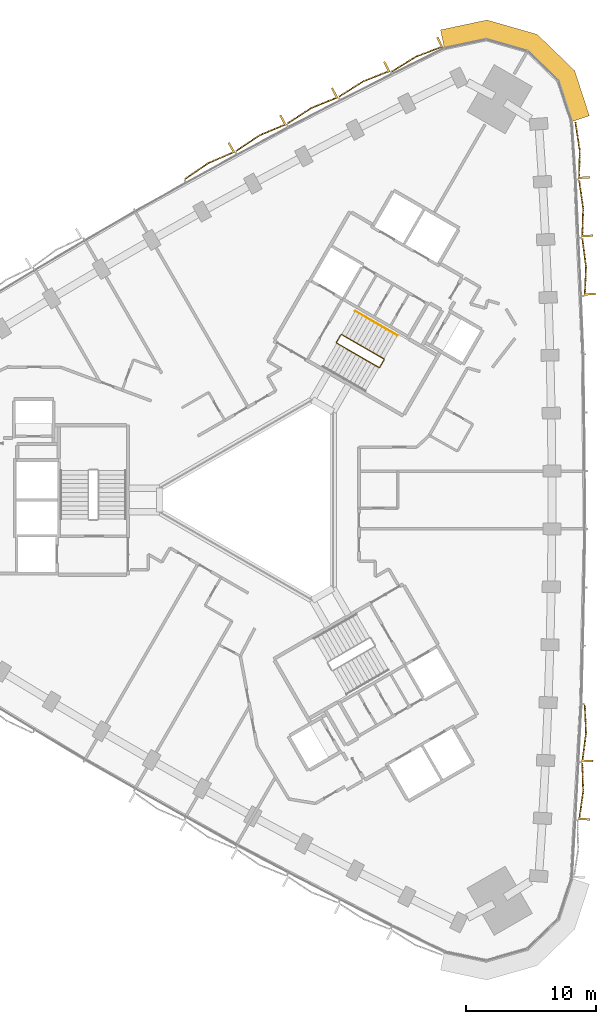
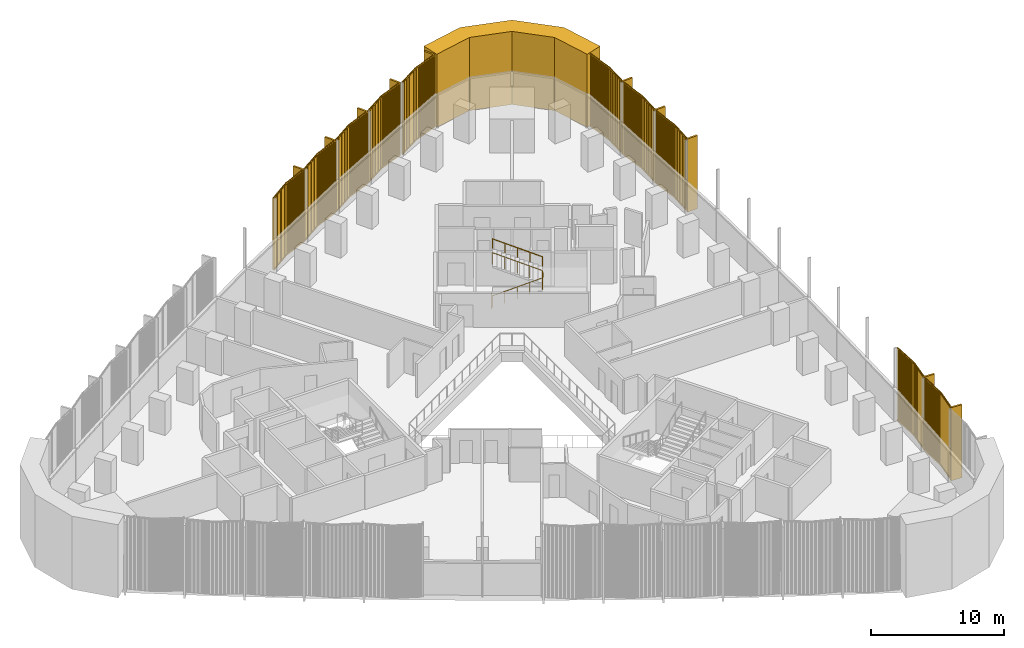
# One storey, part 16 of 16: 11 coverings, 2 railings.
"""IFC4 building model written with IfcOpenShell, lengths in metres."""

import ifcopenshell
import ifcopenshell.guid

model = None  # the IFC model being written
_history = None  # IfcOwnerHistory: only IFC2X3 demands one
_inside = {}  # id of a spatial element -> (the spatial element, [elements in it])
_under = {}  # id of a project, library or spatial element -> (it, [spatial elements below it])
_declared = {}  # id of a project -> (the project, [libraries it declares])
_typed = {}  # id of a type object -> (the type object, [elements of that type])
_made_of = {}  # id of a material, layer set ... -> (it, [elements and type objects made of it])


def new_model(schema):
    """Start an empty IFC model of exactly this schema.

    Asked for "IFC4X3", IfcOpenShell would pick the latest addendum, in which some entities
    have other attributes; the version numbers below select the first issue.
    IFC2X3 requires an IfcOwnerHistory on every rooted entity: one is made here for all.
    """
    global model, _history
    if schema == "IFC4X3":
        model = ifcopenshell.file(schema_version=(4, 3, 0, 0))
    else:
        model = ifcopenshell.file(schema=schema)
    _inside.clear()
    _under.clear()
    _declared.clear()
    _typed.clear()
    _made_of.clear()
    _history = None
    if model.schema == "IFC2X3":
        org = make("IfcOrganization", Name="unknown")
        user = make(
            "IfcPersonAndOrganization",
            ThePerson=make("IfcPerson", FamilyName="unknown"),
            TheOrganization=org,
        )
        app = make(
            "IfcApplication",
            ApplicationDeveloper=org,
            Version="unknown",
            ApplicationFullName="unknown",
            ApplicationIdentifier="unknown",
        )
        _history = make(
            "IfcOwnerHistory",
            OwningUser=user,
            OwningApplication=app,
            ChangeAction="ADDED",
            CreationDate=0,
        )
    return model


def make(cls, **values):
    """One entity of the class cls with the attributes given. An attribute that is None is left unset."""
    return model.create_entity(
        cls, **{name: value for name, value in values.items() if value is not None}
    )


def rooted(cls, **values):
    """An entity with a GlobalId (a new one), such as an element, a storey or a relation."""
    return make(cls, GlobalId=ifcopenshell.guid.new(), OwnerHistory=_history, **values)


def si_unit(unit_type, name, prefix=None):
    """IfcSIUnit, for example si_unit("LENGTHUNIT", "METRE", prefix="MILLI")."""
    return make("IfcSIUnit", UnitType=unit_type, Prefix=prefix, Name=name)


def assignment(units):
    """IfcUnitAssignment: the units of a project."""
    return None if units is None else make("IfcUnitAssignment", Units=units)


def point(xyz):
    """IfcCartesianPoint."""
    return None if xyz is None else make("IfcCartesianPoint", Coordinates=xyz)


def direction(xyz):
    """IfcDirection."""
    return None if xyz is None else make("IfcDirection", DirectionRatios=xyz)


def frame(location, z_axis=None, x_axis=None):
    """IfcAxis2Placement3D, a coordinate frame: its origin and axes. An axis left out is left unset."""
    return make(
        "IfcAxis2Placement3D",
        Location=point(location),
        Axis=direction(z_axis),
        RefDirection=direction(x_axis),
    )


def frame_2d(location, x_axis=None):
    """IfcAxis2Placement2D, a coordinate frame in the plane: its origin and x axis."""
    return make(
        "IfcAxis2Placement2D", Location=point(location), RefDirection=direction(x_axis)
    )


def origin():
    """The frame at (0, 0, 0) with its axes left unset."""
    return frame((0.0, 0.0, 0.0))


def origin_2d():
    """The frame at (0, 0) in the plane with its x axis left unset."""
    return frame_2d((0.0, 0.0))


def place(relative_to, where):
    """IfcLocalPlacement: puts the frame where relative to a parent placement (None: the world)."""
    return make(
        "IfcLocalPlacement", PlacementRelTo=relative_to, RelativePlacement=where
    )


def context(
    kind, dimensions, precision=None, world=None, true_north=None, identifier=None
):
    """IfcGeometricRepresentationContext, for example the 3D "Model" context."""
    return make(
        "IfcGeometricRepresentationContext",
        ContextIdentifier=identifier,
        ContextType=kind,
        CoordinateSpaceDimension=dimensions,
        Precision=precision,
        WorldCoordinateSystem=world,
        TrueNorth=true_north,
    )


def subcontext(parent, identifier, kind, view, scale=None):
    """IfcGeometricRepresentationSubContext, for example "Body" below "Model"."""
    return make(
        "IfcGeometricRepresentationSubContext",
        ContextIdentifier=identifier,
        ContextType=kind,
        ParentContext=parent,
        TargetScale=scale,
        TargetView=view,
    )


def project(units=None, contexts=None):
    """IfcProject with its units and contexts."""
    return rooted(
        "IfcProject",
        Name="project",
        RepresentationContexts=contexts,
        UnitsInContext=assignment(units),
    )


def spatial(cls, under=None, at=None, **own):
    """A site, building, storey or space (cls), placed at a placement, below another one or the project."""
    s = rooted(cls, ObjectPlacement=at, **own)
    if under is not None:
        _under.setdefault(under.id(), (under, []))[1].append(s)
    return s


def polyline(points):
    """IfcPolyline through the points."""
    return make("IfcPolyline", Points=[point(p) for p in points])


def profile(cls, at=None, kind="AREA", **sizes):
    """A parametric profile (cls). Its sizes go by their IFC names, for example OverallWidth=200.0."""
    return make(cls, ProfileType=kind, Position=at, **sizes)


def rectangle(**sizes):
    """IfcRectangleProfileDef."""
    return profile("IfcRectangleProfileDef", **sizes)


def circle(**sizes):
    """IfcCircleProfileDef."""
    return profile("IfcCircleProfileDef", **sizes)


def outline(outer, holes=None, kind="AREA"):
    """IfcArbitraryClosedProfileDef: a profile drawn as a closed curve; with holes, ...WithVoids."""
    if holes is None:
        return make("IfcArbitraryClosedProfileDef", ProfileType=kind, OuterCurve=outer)
    return make(
        "IfcArbitraryProfileDefWithVoids",
        ProfileType=kind,
        OuterCurve=outer,
        InnerCurves=holes,
    )


def extrude(swept, where, along, depth):
    """IfcExtrudedAreaSolid: the profile swept, set in the frame where, extruded along a direction by depth."""
    return make(
        "IfcExtrudedAreaSolid",
        SweptArea=swept,
        Position=where,
        ExtrudedDirection=direction(along),
        Depth=depth,
    )


def shape(context_of_items, identifier, shape_type, items):
    """IfcShapeRepresentation: the items that make up one representation, for example the "Body"."""
    return make(
        "IfcShapeRepresentation",
        ContextOfItems=context_of_items,
        RepresentationIdentifier=identifier,
        RepresentationType=shape_type,
        Items=items,
    )


def source(mapping_origin, context_of_items, identifier, shape_type, items):
    """IfcRepresentationMap: a shape defined once, which mapped items show again and again."""
    return make(
        "IfcRepresentationMap",
        MappingOrigin=mapping_origin,
        MappedRepresentation=shape(context_of_items, identifier, shape_type, items),
    )


def transform(
    local_origin,
    x_axis=None,
    y_axis=None,
    z_axis=None,
    scale=None,
    scale2=None,
    scale3=None,
    uniform=True,
):
    """IfcCartesianTransformationOperator3D, or its non-uniform kind. x_axis, y_axis, z_axis: its Axis1, 2, 3."""
    if uniform:
        return make(
            "IfcCartesianTransformationOperator3D",
            Axis1=direction(x_axis),
            Axis2=direction(y_axis),
            LocalOrigin=point(local_origin),
            Scale=scale,
            Axis3=direction(z_axis),
        )
    return make(
        "IfcCartesianTransformationOperator3DnonUniform",
        Axis1=direction(x_axis),
        Axis2=direction(y_axis),
        LocalOrigin=point(local_origin),
        Scale=scale,
        Axis3=direction(z_axis),
        Scale2=scale2,
        Scale3=scale3,
    )


def mapped(mapping_source, mapping_target):
    """IfcMappedItem: shows the shape of a source again, moved by a transform."""
    return make(
        "IfcMappedItem", MappingSource=mapping_source, MappingTarget=mapping_target
    )


def material(Name=None, Category=None):
    """IfcMaterial."""
    return make("IfcMaterial", Name=Name, Category=Category)


def layer(
    of_material, thickness, ventilated=None, Name=None, Category=None, Priority=None
):
    """IfcMaterialLayer: one layer of a wall or slab, of a material (None: an air gap)."""
    return make(
        "IfcMaterialLayer",
        Material=of_material,
        LayerThickness=thickness,
        IsVentilated=ventilated,
        Name=Name,
        Category=Category,
        Priority=Priority,
    )


def layer_set(layers, Name=None):
    """IfcMaterialLayerSet."""
    return make("IfcMaterialLayerSet", MaterialLayers=layers, LayerSetName=Name)


def made_of(thing, what):
    """Note that an element or type object is made of a material, layer set ...; save() writes the relation."""
    if what is not None:
        _made_of.setdefault(what.id(), (what, []))[1].append(thing)
    return thing


def type_object(cls, material=None, **own):
    """A type object (cls), such as IfcWallType, which elements share."""
    return made_of(rooted(cls, **own), material)


def element(
    cls,
    number,
    at=None,
    inside=None,
    cuts=None,
    type_object=None,
    material=None,
    context=None,
    identifier="Body",
    shape_type=None,
    held_by="IfcProductDefinitionShape",
    body=None,
    shapes=None,
    **own,
):
    """One element of the class cls, such as IfcWall. Its Tag is "e" and its number.

    at: its placement. inside: the storey or other place that contains it. cuts: it is an
    opening in that element (IfcRelVoidsElement). A single representation is given by context,
    identifier, shape_type and body (its items); several are given by shapes. held_by: the class
    of the entity that holds the representations. save() writes the other relations.
    """
    e = rooted(cls, Tag="e%d" % number, ObjectPlacement=at, **own)
    if body is not None:
        shapes = [shape(context, identifier, shape_type, body)]
    if shapes is not None:
        e.Representation = make(held_by, Representations=shapes)
    if inside is not None:
        _inside.setdefault(inside.id(), (inside, []))[1].append(e)
    if cuts is not None:
        rooted(
            "IfcRelVoidsElement", RelatingBuildingElement=cuts, RelatedOpeningElement=e
        )
    if type_object is not None:
        _typed.setdefault(type_object.id(), (type_object, []))[1].append(e)
    return made_of(e, material)


def aggregate(whole, parts):
    """IfcRelAggregates: a whole, such as a stair, and the parts it consists of."""
    return rooted("IfcRelAggregates", RelatingObject=whole, RelatedObjects=parts)


def save(model, path):
    """Write the relations noted so far, then the file.

    IfcRelAggregates (storeys below a building ...), IfcRelContainedInSpatialStructure (elements
    in a storey), IfcRelDefinesByType, IfcRelAssociatesMaterial and IfcRelDeclares: one each for
    every whole, place, type object, material and project.
    """
    for whole, parts in _under.values():
        aggregate(whole, parts)
    for where, things in _inside.values():
        rooted(
            "IfcRelContainedInSpatialStructure",
            RelatedElements=things,
            RelatingStructure=where,
        )
    for kind, things in _typed.values():
        rooted("IfcRelDefinesByType", RelatedObjects=things, RelatingType=kind)
    for what, things in _made_of.values():
        rooted("IfcRelAssociatesMaterial", RelatedObjects=things, RelatingMaterial=what)
    for by, libraries in _declared.values():
        rooted("IfcRelDeclares", RelatingContext=by, RelatedDefinitions=libraries)
    model.write(path)


model = new_model("IFC4")

# Units and contexts
model_context = context("Model", 3, precision=1e-05, world=origin(), true_north=direction((0.0, 1.0)))
body_context = subcontext(model_context, "Body", "Model", "MODEL_VIEW")
ifc_project = project(units=[si_unit("LENGTHUNIT", "METRE"), si_unit("AREAUNIT", "SQUARE_METRE"), si_unit("VOLUMEUNIT", "CUBIC_METRE"), si_unit("PLANEANGLEUNIT", "RADIAN"), si_unit("MASSUNIT", "GRAM", prefix="KILO")], contexts=[model_context])

# Site, building, storey
site_placement = place(None, origin())
site = spatial("IfcSite", under=ifc_project, at=site_placement, CompositionType="ELEMENT")
building_placement = place(site_placement, origin())
building = spatial("IfcBuilding", under=site, at=building_placement, Name="Tamra Quay Hotel Tower", CompositionType="ELEMENT")
storey_placement = place(building_placement, frame((0.0, 0.0, 45.800048828125)))
storey = spatial("IfcBuildingStorey", under=building, at=storey_placement, Name="L09", CompositionType="ELEMENT", Elevation=45.800048828125)

# Covering
ifc_material_1 = material(Name="Precast concrete M60 terracotta-coloured", Category="masonry")
ifc_layer = layer(ifc_material_1, 1.449951171875)
ifc_layer_set = layer_set([ifc_layer], Name="CORNER PIER PANEL")
covering_type_1 = type_object("IfcCoveringType", Name="CORNER PIER PANEL", PredefinedType="CLADDING", material=ifc_layer_set)
covering_placement = place(storey_placement, origin())
element("IfcCovering", 1, at=covering_placement, inside=storey, type_object=covering_type_1, Name="Corner pier L09.east", PredefinedType="CLADDING", context=body_context, shape_type="SweptSolid", body=[
    extrude(outline(polyline([(23.40869140625, 29.210693359375), (24.78759765625, 29.658935546875), (23.65380859375, 33.148193359375), (20.75439453125, 35.947998046875), (16.88037109375, 37.058837890625), (13.29150390625, 36.296142578125), (13.593017578125, 34.877685546875), (16.828125, 35.5654296875), (20.00732421875, 34.65380859375), (22.386474609375, 32.356201171875), (23.40869140625, 29.210693359375)])), origin(), (0.0, 0.0, 1.0), 6.724853515625),
])

# Railings
ifc_material_2 = material(Name="Stair guard 1100")
railing_type_1 = type_object("IfcRailingType", Name="Stair guard 1100", PredefinedType="GUARDRAIL", material=ifc_material_2)
railing_1_placement = place(storey_placement, frame((5.595458984375, 12.751953125, 0.0)))
element("IfcRailing", 2, at=railing_1_placement, inside=storey, type_object=railing_type_1, Name="GR", PredefinedType="GUARDRAIL", context=body_context, shape_type="SweptSolid", body=[
    extrude(circle(Radius=0.02392578125, at=origin_2d()), frame((0.0, 0.0, 1.076171875), z_axis=(-0.499765215335, -0.866160914346, 0.0), x_axis=(0.866160914346, -0.499765215335, 0.0)), (0.0, 0.0, 1.0), 0.658935546875),
    extrude(circle(Radius=0.02392578125, at=origin_2d()), frame((-0.329345703125, -0.57080078125, 1.076171875), z_axis=(0.110525977783, -0.411156637351, 0.904839338113), x_axis=(0.965715946433, 0.259601060869, 0.0)), (0.0, 0.0, 1.0), 0.165771484375),
    extrude(circle(Radius=0.02392578125, at=origin_2d()), frame((-0.31103515625, -0.638916015625, 1.22607421875), z_axis=(0.79305953016, -0.457922937641, 0.401700342053), x_axis=(0.500040788363, 0.866001853331, 0.0)), (0.0, 0.0, 1.0), 4.10791015625),
    extrude(circle(Radius=0.02392578125, at=origin_2d()), frame((2.94677734375, -2.52001953125, 2.8759765625), z_axis=(0.965948051503, 0.258736085224, 0.0), x_axis=(-0.258736085224, 0.965948051503, 0.0)), (0.0, 0.0, 1.0), 0.07080078125),
    extrude(circle(Radius=0.02392578125, at=origin_2d()), frame((3.01513671875, -2.501708984375, 2.8759765625), z_axis=(0.500043078269, 0.866000531106, 0.0), x_axis=(-0.866000531106, 0.500043078269, 0.0)), (0.0, 0.0, 1.0), 0.6591796875),
    extrude(circle(Radius=0.02392578125, at=origin_2d()), frame((3.3447265625, -1.930908203125, 2.8759765625), z_axis=(-0.110525977783, 0.411156637351, 0.904839338113), x_axis=(-0.965715946433, -0.259601060869, 0.0)), (0.0, 0.0, 1.0), 0.165771484375),
    extrude(circle(Radius=0.02392578125, at=origin_2d()), frame((3.326416015625, -1.86279296875, 3.02587890625), z_axis=(-0.793100512587, 0.457912285461, 0.401631567183), x_axis=(-0.500012686397, -0.866018079166, 0.0)), (0.0, 0.0, 1.0), 4.10791015625),
    extrude(circle(Radius=0.02099609375, at=origin_2d()), origin(), (0.0, 0.0, 1.0), 1.052001953125),
    extrude(circle(Radius=0.02099609375, at=origin_2d()), frame((-0.329345703125, -0.57080078125, 0.0)), (0.0, 0.0, 1.0), 1.052001953125),
    extrude(circle(Radius=0.02099609375, at=origin_2d()), frame((-0.31103515625, -0.638916015625, 0.14990234375)), (0.0, 0.0, 1.0), 1.052001953125),
    extrude(circle(Radius=0.02099609375, at=origin_2d()), frame((0.50341796875, -1.109130859375, 0.5625)), (0.0, 0.0, 1.0), 1.052001953125),
    extrude(circle(Radius=0.02099609375, at=origin_2d()), frame((1.31787109375, -1.57958984375, 0.97509765625)), (0.0, 0.0, 1.0), 1.052001953125),
    extrude(circle(Radius=0.02099609375, at=origin_2d()), frame((2.13232421875, -2.0498046875, 1.387451171875)), (0.0, 0.0, 1.0), 1.052001953125),
    extrude(circle(Radius=0.02099609375, at=origin_2d()), frame((2.94677734375, -2.52001953125, 1.800048828125)), (0.0, 0.0, 1.0), 1.052001953125),
    extrude(circle(Radius=0.02099609375, at=origin_2d()), frame((3.01513671875, -2.501708984375, 1.800048828125)), (0.0, 0.0, 1.0), 1.052001953125),
    extrude(circle(Radius=0.02099609375, at=origin_2d()), frame((3.3447265625, -1.930908203125, 1.800048828125)), (0.0, 0.0, 1.0), 1.052001953125),
    extrude(circle(Radius=0.02099609375, at=origin_2d()), frame((3.326416015625, -1.86279296875, 1.949951171875)), (0.0, 0.0, 1.0), 1.052001953125),
    extrude(circle(Radius=0.02099609375, at=origin_2d()), frame((2.511962890625, -1.392578125, 2.3623046875)), (0.0, 0.0, 1.0), 1.052001953125),
    extrude(circle(Radius=0.02099609375, at=origin_2d()), frame((1.697265625, -0.92236328125, 2.77490234375)), (0.0, 0.0, 1.0), 1.052001953125),
    extrude(circle(Radius=0.02099609375, at=origin_2d()), frame((0.8828125, -0.451904296875, 3.1875)), (0.0, 0.0, 1.0), 1.052001953125),
    extrude(circle(Radius=0.02099609375, at=origin_2d()), frame((0.068359375, 0.018310546875, 3.599853515625)), (0.0, 0.0, 1.0), 1.052001953125),
])
ifc_material_3 = material(Name="Stair handrail 900")
railing_type_2 = type_object("IfcRailingType", Name="Stair handrail 900", PredefinedType="HANDRAIL", material=ifc_material_3)
railing_2_placement = place(storey_placement, frame((9.971923828125, 12.7080078125, 1.949951171875)))
element("IfcRailing", 3, at=railing_2_placement, inside=storey, type_object=railing_type_2, Name="HR", PredefinedType="HANDRAIL", context=body_context, shape_type="SweptSolid", body=[
    extrude(circle(Radius=0.02392578125, at=origin_2d()), frame((0.0, 0.0, 0.8759765625), z_axis=(-0.793122095483, 0.45786531462, 0.401642496911), x_axis=(-0.499964013922, -0.86604617936, 0.0)), (0.0, 0.0, 1.0), 4.10791015625),
    extrude(circle(Radius=0.02099609375, at=origin_2d()), origin(), (0.0, 0.0, 1.0), 0.851806640625),
    extrude(circle(Radius=0.02099609375, at=origin_2d()), frame((-0.814453125, 0.47021484375, 0.41259765625)), (0.0, 0.0, 1.0), 0.851806640625),
    extrude(circle(Radius=0.02099609375, at=origin_2d()), frame((-1.62890625, 0.9404296875, 0.824951171875)), (0.0, 0.0, 1.0), 0.851806640625),
    extrude(circle(Radius=0.02099609375, at=origin_2d()), frame((-2.443603515625, 1.41064453125, 1.2373046875)), (0.0, 0.0, 1.0), 0.851806640625),
    extrude(circle(Radius=0.02099609375, at=origin_2d()), frame((-3.258056640625, 1.880859375, 1.64990234375)), (0.0, 0.0, 1.0), 0.851806640625),
])

# Coverings
ifc_material_4 = material(Name="Terracotta baguette extruded", Category="masonry")
covering_type_2 = type_object("IfcCoveringType", Name="BAGUETTE SCREEN E-V H6725", PredefinedType="USERDEFINED", material=ifc_material_4)
shared_shape_1 = source(origin(), body_context, "Body", "SweptSolid", [
    extrude(rectangle(XDim=2.2109375, YDim=0.06005859375, at=frame_2d((1.10546875, 0.030029296875))), frame((-2.207763671875, -0.057861328125, -0.1201171875), z_axis=(0.0, 0.0, 1.0), x_axis=(0.996194698092, -0.087155742748, 0.0)), (0.0, 0.0, 1.0), 0.1201171875),
    extrude(rectangle(XDim=2.2109375, YDim=0.06005859375, at=frame_2d((1.10546875, 0.030029296875))), frame((-2.207763671875, -0.057861328125, -6.72509765625), z_axis=(0.0, 0.0, 1.0), x_axis=(0.996194698092, -0.087155742748, 0.0)), (0.0, 0.0, 1.0), 0.1201171875),
    extrude(rectangle(XDim=0.070068359375, YDim=0.10009765625, at=frame_2d((0.03515625, 0.050048828125))), frame((-2.1875, -0.13232421875, -6.6650390625)), (0.0, 0.0, 1.0), 6.60498046875),
    extrude(rectangle(XDim=0.070068359375, YDim=0.10009765625, at=frame_2d((0.03515625, 0.050048828125))), frame((-2.08740234375, -0.14111328125, -6.6650390625)), (0.0, 0.0, 1.0), 6.60498046875),
    extrude(rectangle(XDim=0.070068359375, YDim=0.10009765625, at=frame_2d((0.03515625, 0.050048828125))), frame((-1.9873046875, -0.14990234375, -6.6650390625)), (0.0, 0.0, 1.0), 6.60498046875),
    extrude(rectangle(XDim=0.070068359375, YDim=0.10009765625, at=frame_2d((0.03515625, 0.050048828125))), frame((-1.88720703125, -0.15869140625, -6.6650390625)), (0.0, 0.0, 1.0), 6.60498046875),
    extrude(rectangle(XDim=0.070068359375, YDim=0.10009765625, at=frame_2d((0.03515625, 0.050048828125))), frame((-1.787109375, -0.16748046875, -6.6650390625)), (0.0, 0.0, 1.0), 6.60498046875),
    extrude(rectangle(XDim=0.070068359375, YDim=0.10009765625, at=frame_2d((0.03515625, 0.050048828125))), frame((-1.686767578125, -0.17626953125, -6.6650390625)), (0.0, 0.0, 1.0), 6.60498046875),
    extrude(rectangle(XDim=0.070068359375, YDim=0.10009765625, at=frame_2d((0.03515625, 0.050048828125))), frame((-1.586669921875, -0.184814453125, -6.6650390625)), (0.0, 0.0, 1.0), 6.60498046875),
    extrude(rectangle(XDim=0.070068359375, YDim=0.10009765625, at=frame_2d((0.03515625, 0.050048828125))), frame((-1.486572265625, -0.193603515625, -6.6650390625)), (0.0, 0.0, 1.0), 6.60498046875),
    extrude(rectangle(XDim=0.070068359375, YDim=0.10009765625, at=frame_2d((0.03515625, 0.050048828125))), frame((-1.386474609375, -0.202392578125, -6.6650390625)), (0.0, 0.0, 1.0), 6.60498046875),
    extrude(rectangle(XDim=0.070068359375, YDim=0.10009765625, at=frame_2d((0.03515625, 0.050048828125))), frame((-1.286376953125, -0.211181640625, -6.6650390625)), (0.0, 0.0, 1.0), 6.60498046875),
    extrude(rectangle(XDim=0.070068359375, YDim=0.10009765625, at=frame_2d((0.03515625, 0.050048828125))), frame((-1.186279296875, -0.219970703125, -6.6650390625)), (0.0, 0.0, 1.0), 6.60498046875),
    extrude(rectangle(XDim=0.070068359375, YDim=0.10009765625, at=frame_2d((0.03515625, 0.050048828125))), frame((-1.086181640625, -0.228759765625, -6.6650390625)), (0.0, 0.0, 1.0), 6.60498046875),
    extrude(rectangle(XDim=0.070068359375, YDim=0.10009765625, at=frame_2d((0.03515625, 0.050048828125))), frame((-0.986083984375, -0.237548828125, -6.6650390625)), (0.0, 0.0, 1.0), 6.60498046875),
    extrude(rectangle(XDim=0.070068359375, YDim=0.10009765625, at=frame_2d((0.03515625, 0.050048828125))), frame((-0.885986328125, -0.246337890625, -6.6650390625)), (0.0, 0.0, 1.0), 6.60498046875),
    extrude(rectangle(XDim=0.070068359375, YDim=0.10009765625, at=frame_2d((0.03515625, 0.050048828125))), frame((-0.785888671875, -0.2548828125, -6.6650390625)), (0.0, 0.0, 1.0), 6.60498046875),
    extrude(rectangle(XDim=0.070068359375, YDim=0.10009765625, at=frame_2d((0.03515625, 0.050048828125))), frame((-0.685791015625, -0.263671875, -6.6650390625)), (0.0, 0.0, 1.0), 6.60498046875),
    extrude(rectangle(XDim=0.070068359375, YDim=0.10009765625, at=frame_2d((0.03515625, 0.050048828125))), frame((-0.585693359375, -0.2724609375, -6.6650390625)), (0.0, 0.0, 1.0), 6.60498046875),
    extrude(rectangle(XDim=0.070068359375, YDim=0.10009765625, at=frame_2d((0.03515625, 0.050048828125))), frame((-0.485595703125, -0.28125, -6.6650390625)), (0.0, 0.0, 1.0), 6.60498046875),
    extrude(rectangle(XDim=0.070068359375, YDim=0.10009765625, at=frame_2d((0.03515625, 0.050048828125))), frame((-0.385498046875, -0.2900390625, -6.6650390625)), (0.0, 0.0, 1.0), 6.60498046875),
    extrude(rectangle(XDim=0.070068359375, YDim=0.10009765625, at=frame_2d((0.03515625, 0.050048828125))), frame((-0.285400390625, -0.298828125, -6.6650390625)), (0.0, 0.0, 1.0), 6.60498046875),
    extrude(rectangle(XDim=0.070068359375, YDim=0.10009765625, at=frame_2d((0.03515625, 0.050048828125))), frame((-0.18505859375, -0.3076171875, -6.6650390625)), (0.0, 0.0, 1.0), 6.60498046875),
    extrude(rectangle(XDim=0.070068359375, YDim=0.10009765625, at=frame_2d((0.03515625, 0.050048828125))), frame((-0.0849609375, -0.31640625, -6.6650390625)), (0.0, 0.0, 1.0), 6.60498046875),
    extrude(rectangle(XDim=2.2109375, YDim=0.06005859375, at=frame_2d((1.10546875, 0.030029296875))), frame((0.005126953125, -0.25048828125, -0.1201171875), z_axis=(0.0, 0.0, 1.0), x_axis=(0.996194698092, 0.087155742748, 0.0)), (0.0, 0.0, 1.0), 0.1201171875),
    extrude(rectangle(XDim=2.2109375, YDim=0.06005859375, at=frame_2d((1.10546875, 0.030029296875))), frame((0.005126953125, -0.25048828125, -6.72509765625), z_axis=(0.0, 0.0, 1.0), x_axis=(0.996194698092, 0.087155742748, 0.0)), (0.0, 0.0, 1.0), 0.1201171875),
    extrude(rectangle(XDim=0.070068359375, YDim=0.10009765625, at=frame_2d((0.03515625, 0.050048828125))), frame((0.01513671875, -0.31640625, -6.6650390625)), (0.0, 0.0, 1.0), 6.60498046875),
    extrude(rectangle(XDim=0.070068359375, YDim=0.10009765625, at=frame_2d((0.03515625, 0.050048828125))), frame((0.115234375, -0.3076171875, -6.6650390625)), (0.0, 0.0, 1.0), 6.60498046875),
    extrude(rectangle(XDim=0.070068359375, YDim=0.10009765625, at=frame_2d((0.03515625, 0.050048828125))), frame((0.21533203125, -0.298828125, -6.6650390625)), (0.0, 0.0, 1.0), 6.60498046875),
    extrude(rectangle(XDim=0.070068359375, YDim=0.10009765625, at=frame_2d((0.03515625, 0.050048828125))), frame((0.3154296875, -0.2900390625, -6.6650390625)), (0.0, 0.0, 1.0), 6.60498046875),
    extrude(rectangle(XDim=0.070068359375, YDim=0.10009765625, at=frame_2d((0.03515625, 0.050048828125))), frame((0.41552734375, -0.28125, -6.6650390625)), (0.0, 0.0, 1.0), 6.60498046875),
    extrude(rectangle(XDim=0.070068359375, YDim=0.10009765625, at=frame_2d((0.03515625, 0.050048828125))), frame((0.515625, -0.2724609375, -6.6650390625)), (0.0, 0.0, 1.0), 6.60498046875),
    extrude(rectangle(XDim=0.070068359375, YDim=0.10009765625, at=frame_2d((0.03515625, 0.050048828125))), frame((0.61572265625, -0.263671875, -6.6650390625)), (0.0, 0.0, 1.0), 6.60498046875),
    extrude(rectangle(XDim=0.070068359375, YDim=0.10009765625, at=frame_2d((0.03515625, 0.050048828125))), frame((0.7158203125, -0.2548828125, -6.6650390625)), (0.0, 0.0, 1.0), 6.60498046875),
    extrude(rectangle(XDim=0.070068359375, YDim=0.10009765625, at=frame_2d((0.03515625, 0.050048828125))), frame((0.81591796875, -0.246337890625, -6.6650390625)), (0.0, 0.0, 1.0), 6.60498046875),
    extrude(rectangle(XDim=0.070068359375, YDim=0.10009765625, at=frame_2d((0.03515625, 0.050048828125))), frame((0.916015625, -0.237548828125, -6.6650390625)), (0.0, 0.0, 1.0), 6.60498046875),
    extrude(rectangle(XDim=0.070068359375, YDim=0.10009765625, at=frame_2d((0.03515625, 0.050048828125))), frame((1.01611328125, -0.228759765625, -6.6650390625)), (0.0, 0.0, 1.0), 6.60498046875),
    extrude(rectangle(XDim=0.070068359375, YDim=0.10009765625, at=frame_2d((0.03515625, 0.050048828125))), frame((1.1162109375, -0.219970703125, -6.6650390625)), (0.0, 0.0, 1.0), 6.60498046875),
    extrude(rectangle(XDim=0.070068359375, YDim=0.10009765625, at=frame_2d((0.03515625, 0.050048828125))), frame((1.21630859375, -0.211181640625, -6.6650390625)), (0.0, 0.0, 1.0), 6.60498046875),
    extrude(rectangle(XDim=0.070068359375, YDim=0.10009765625, at=frame_2d((0.03515625, 0.050048828125))), frame((1.316650390625, -0.202392578125, -6.6650390625)), (0.0, 0.0, 1.0), 6.60498046875),
    extrude(rectangle(XDim=0.070068359375, YDim=0.10009765625, at=frame_2d((0.03515625, 0.050048828125))), frame((1.416748046875, -0.193603515625, -6.6650390625)), (0.0, 0.0, 1.0), 6.60498046875),
    extrude(rectangle(XDim=0.070068359375, YDim=0.10009765625, at=frame_2d((0.03515625, 0.050048828125))), frame((1.516845703125, -0.184814453125, -6.6650390625)), (0.0, 0.0, 1.0), 6.60498046875),
    extrude(rectangle(XDim=0.070068359375, YDim=0.10009765625, at=frame_2d((0.03515625, 0.050048828125))), frame((1.616943359375, -0.17626953125, -6.6650390625)), (0.0, 0.0, 1.0), 6.60498046875),
    extrude(rectangle(XDim=0.070068359375, YDim=0.10009765625, at=frame_2d((0.03515625, 0.050048828125))), frame((1.717041015625, -0.16748046875, -6.6650390625)), (0.0, 0.0, 1.0), 6.60498046875),
    extrude(rectangle(XDim=0.070068359375, YDim=0.10009765625, at=frame_2d((0.03515625, 0.050048828125))), frame((1.817138671875, -0.15869140625, -6.6650390625)), (0.0, 0.0, 1.0), 6.60498046875),
    extrude(rectangle(XDim=0.070068359375, YDim=0.10009765625, at=frame_2d((0.03515625, 0.050048828125))), frame((1.917236328125, -0.14990234375, -6.6650390625)), (0.0, 0.0, 1.0), 6.60498046875),
    extrude(rectangle(XDim=0.070068359375, YDim=0.10009765625, at=frame_2d((0.03515625, 0.050048828125))), frame((2.017333984375, -0.14111328125, -6.6650390625)), (0.0, 0.0, 1.0), 6.60498046875),
    extrude(rectangle(XDim=0.070068359375, YDim=0.10009765625, at=frame_2d((0.03515625, 0.050048828125))), frame((2.117431640625, -0.13232421875, -6.6650390625)), (0.0, 0.0, 1.0), 6.60498046875),
    extrude(rectangle(XDim=0.14990234375, YDim=0.902099609375, at=frame_2d((0.074951171875, 0.451171875))), frame((-2.202392578125, -0.89990234375, -6.72509765625)), (0.0, 0.0, 1.0), 6.72509765625),
])
for number, where, z_axis, x_axis, name in (
    (4, (24.059326171875, -22.490478515625, 6.724853515625), (0.0, 0.0, 1.0), (0.054062119595, 0.998537574268, 0.0), "Baguette screen L09.E.f01"),
    (5, (24.2783203125, -17.995361328125, 6.724853515625), (0.0, 0.0, 1.0), (0.043285462035, 0.999062745165, 0.0), "Baguette screen L09.E.f02"),
    (6, (24.2783203125, 17.995361328125, 6.724853515625), (0.0, 0.0, 1.0), (-0.043285462035, 0.999062745165, 0.0), "Baguette screen L09.E.f10"),
    (7, (24.059326171875, 22.490478515625, 6.724853515625), (0.0, 0.0, 1.0), (-0.054062119595, 0.998537574268, 0.0), "Baguette screen L09.E.f11"),
    (8, (23.791748046875, 26.982666015625, 6.724853515625), (0.0, 0.0, 1.0), (-0.064813097616, 0.997897420769, 0.0), "Baguette screen L09.E.f12"),
):
    element("IfcCovering", number, at=place(storey_placement, frame(where, z_axis=z_axis, x_axis=x_axis)), inside=storey, type_object=covering_type_2, Name=name, ObjectType="BAGUETTE SCREEN", PredefinedType="USERDEFINED", context=body_context, shape_type="MappedRepresentation", body=[
        mapped(shared_shape_1, transform((0.0, 0.0, 0.0), scale=1.0)),
    ])
covering_type_3 = type_object("IfcCoveringType", Name="BAGUETTE SCREEN NW-V H6725", PredefinedType="USERDEFINED", material=ifc_material_4)
shared_shape_2 = source(origin(), body_context, "Body", "SweptSolid", [
    extrude(rectangle(XDim=2.212646484375, YDim=0.06005859375, at=frame_2d((1.1064453125, 0.030029296875))), frame((-2.208251953125, -0.0576171875, -0.1201171875), z_axis=(0.0, 0.0, 1.0), x_axis=(0.995396198367, -0.09584575252, 0.0)), (0.0, 0.0, 1.0), 0.1201171875),
    extrude(rectangle(XDim=2.212646484375, YDim=0.06005859375, at=frame_2d((1.1064453125, 0.030029296875))), frame((-2.208251953125, -0.0576171875, -6.72509765625), z_axis=(0.0, 0.0, 1.0), x_axis=(0.995396198367, -0.09584575252, 0.0)), (0.0, 0.0, 1.0), 0.1201171875),
    extrude(rectangle(XDim=0.070068359375, YDim=0.10009765625, at=frame_2d((0.03515625, 0.050048828125))), frame((-2.1875, -0.1328125, -6.6650390625)), (0.0, 0.0, 1.0), 6.60498046875),
    extrude(rectangle(XDim=0.070068359375, YDim=0.10009765625, at=frame_2d((0.03515625, 0.050048828125))), frame((-2.08740234375, -0.142578125, -6.6650390625)), (0.0, 0.0, 1.0), 6.60498046875),
    extrude(rectangle(XDim=0.070068359375, YDim=0.10009765625, at=frame_2d((0.03515625, 0.050048828125))), frame((-1.9873046875, -0.152099609375, -6.6650390625)), (0.0, 0.0, 1.0), 6.60498046875),
    extrude(rectangle(XDim=0.070068359375, YDim=0.10009765625, at=frame_2d((0.03515625, 0.050048828125))), frame((-1.88720703125, -0.16162109375, -6.6650390625)), (0.0, 0.0, 1.0), 6.60498046875),
    extrude(rectangle(XDim=0.070068359375, YDim=0.10009765625, at=frame_2d((0.03515625, 0.050048828125))), frame((-1.787109375, -0.17138671875, -6.6650390625)), (0.0, 0.0, 1.0), 6.60498046875),
    extrude(rectangle(XDim=0.070068359375, YDim=0.10009765625, at=frame_2d((0.03515625, 0.050048828125))), frame((-1.686767578125, -0.180908203125, -6.6650390625)), (0.0, 0.0, 1.0), 6.60498046875),
    extrude(rectangle(XDim=0.070068359375, YDim=0.10009765625, at=frame_2d((0.03515625, 0.050048828125))), frame((-1.586669921875, -0.190673828125, -6.6650390625)), (0.0, 0.0, 1.0), 6.60498046875),
    extrude(rectangle(XDim=0.070068359375, YDim=0.10009765625, at=frame_2d((0.03515625, 0.050048828125))), frame((-1.486572265625, -0.2001953125, -6.6650390625)), (0.0, 0.0, 1.0), 6.60498046875),
    extrude(rectangle(XDim=0.070068359375, YDim=0.10009765625, at=frame_2d((0.03515625, 0.050048828125))), frame((-1.386474609375, -0.2099609375, -6.6650390625)), (0.0, 0.0, 1.0), 6.60498046875),
    extrude(rectangle(XDim=0.070068359375, YDim=0.10009765625, at=frame_2d((0.03515625, 0.050048828125))), frame((-1.286376953125, -0.219482421875, -6.6650390625)), (0.0, 0.0, 1.0), 6.60498046875),
    extrude(rectangle(XDim=0.070068359375, YDim=0.10009765625, at=frame_2d((0.03515625, 0.050048828125))), frame((-1.186279296875, -0.229248046875, -6.6650390625)), (0.0, 0.0, 1.0), 6.60498046875),
    extrude(rectangle(XDim=0.070068359375, YDim=0.10009765625, at=frame_2d((0.03515625, 0.050048828125))), frame((-1.086181640625, -0.23876953125, -6.6650390625)), (0.0, 0.0, 1.0), 6.60498046875),
    extrude(rectangle(XDim=0.070068359375, YDim=0.10009765625, at=frame_2d((0.03515625, 0.050048828125))), frame((-0.986083984375, -0.24853515625, -6.6650390625)), (0.0, 0.0, 1.0), 6.60498046875),
    extrude(rectangle(XDim=0.070068359375, YDim=0.10009765625, at=frame_2d((0.03515625, 0.050048828125))), frame((-0.885986328125, -0.258056640625, -6.6650390625)), (0.0, 0.0, 1.0), 6.60498046875),
    extrude(rectangle(XDim=0.070068359375, YDim=0.10009765625, at=frame_2d((0.03515625, 0.050048828125))), frame((-0.785888671875, -0.267822265625, -6.6650390625)), (0.0, 0.0, 1.0), 6.60498046875),
    extrude(rectangle(XDim=0.070068359375, YDim=0.10009765625, at=frame_2d((0.03515625, 0.050048828125))), frame((-0.685791015625, -0.27734375, -6.6650390625)), (0.0, 0.0, 1.0), 6.60498046875),
    extrude(rectangle(XDim=0.070068359375, YDim=0.10009765625, at=frame_2d((0.03515625, 0.050048828125))), frame((-0.585693359375, -0.287109375, -6.6650390625)), (0.0, 0.0, 1.0), 6.60498046875),
    extrude(rectangle(XDim=0.070068359375, YDim=0.10009765625, at=frame_2d((0.03515625, 0.050048828125))), frame((-0.485595703125, -0.296630859375, -6.6650390625)), (0.0, 0.0, 1.0), 6.60498046875),
    extrude(rectangle(XDim=0.070068359375, YDim=0.10009765625, at=frame_2d((0.03515625, 0.050048828125))), frame((-0.385498046875, -0.306396484375, -6.6650390625)), (0.0, 0.0, 1.0), 6.60498046875),
    extrude(rectangle(XDim=0.070068359375, YDim=0.10009765625, at=frame_2d((0.03515625, 0.050048828125))), frame((-0.285400390625, -0.31591796875, -6.6650390625)), (0.0, 0.0, 1.0), 6.60498046875),
    extrude(rectangle(XDim=0.070068359375, YDim=0.10009765625, at=frame_2d((0.03515625, 0.050048828125))), frame((-0.18505859375, -0.32568359375, -6.6650390625)), (0.0, 0.0, 1.0), 6.60498046875),
    extrude(rectangle(XDim=0.070068359375, YDim=0.10009765625, at=frame_2d((0.03515625, 0.050048828125))), frame((-0.0849609375, -0.335205078125, -6.6650390625)), (0.0, 0.0, 1.0), 6.60498046875),
    extrude(rectangle(XDim=2.212646484375, YDim=0.06005859375, at=frame_2d((1.1064453125, 0.030029296875))), frame((0.005859375, -0.269775390625, -0.1201171875), z_axis=(0.0, 0.0, 1.0), x_axis=(0.995396198367, 0.09584575252, 0.0)), (0.0, 0.0, 1.0), 0.1201171875),
    extrude(rectangle(XDim=2.212646484375, YDim=0.06005859375, at=frame_2d((1.1064453125, 0.030029296875))), frame((0.005859375, -0.269775390625, -6.72509765625), z_axis=(0.0, 0.0, 1.0), x_axis=(0.995396198367, 0.09584575252, 0.0)), (0.0, 0.0, 1.0), 0.1201171875),
    extrude(rectangle(XDim=0.070068359375, YDim=0.10009765625, at=frame_2d((0.03515625, 0.050048828125))), frame((0.01513671875, -0.335205078125, -6.6650390625)), (0.0, 0.0, 1.0), 6.60498046875),
    extrude(rectangle(XDim=0.070068359375, YDim=0.10009765625, at=frame_2d((0.03515625, 0.050048828125))), frame((0.115234375, -0.32568359375, -6.6650390625)), (0.0, 0.0, 1.0), 6.60498046875),
    extrude(rectangle(XDim=0.070068359375, YDim=0.10009765625, at=frame_2d((0.03515625, 0.050048828125))), frame((0.21533203125, -0.31591796875, -6.6650390625)), (0.0, 0.0, 1.0), 6.60498046875),
    extrude(rectangle(XDim=0.070068359375, YDim=0.10009765625, at=frame_2d((0.03515625, 0.050048828125))), frame((0.3154296875, -0.306396484375, -6.6650390625)), (0.0, 0.0, 1.0), 6.60498046875),
    extrude(rectangle(XDim=0.070068359375, YDim=0.10009765625, at=frame_2d((0.03515625, 0.050048828125))), frame((0.41552734375, -0.296630859375, -6.6650390625)), (0.0, 0.0, 1.0), 6.60498046875),
    extrude(rectangle(XDim=0.070068359375, YDim=0.10009765625, at=frame_2d((0.03515625, 0.050048828125))), frame((0.515625, -0.287109375, -6.6650390625)), (0.0, 0.0, 1.0), 6.60498046875),
    extrude(rectangle(XDim=0.070068359375, YDim=0.10009765625, at=frame_2d((0.03515625, 0.050048828125))), frame((0.61572265625, -0.27734375, -6.6650390625)), (0.0, 0.0, 1.0), 6.60498046875),
    extrude(rectangle(XDim=0.070068359375, YDim=0.10009765625, at=frame_2d((0.03515625, 0.050048828125))), frame((0.7158203125, -0.267822265625, -6.6650390625)), (0.0, 0.0, 1.0), 6.60498046875),
    extrude(rectangle(XDim=0.070068359375, YDim=0.10009765625, at=frame_2d((0.03515625, 0.050048828125))), frame((0.81591796875, -0.258056640625, -6.6650390625)), (0.0, 0.0, 1.0), 6.60498046875),
    extrude(rectangle(XDim=0.070068359375, YDim=0.10009765625, at=frame_2d((0.03515625, 0.050048828125))), frame((0.916015625, -0.24853515625, -6.6650390625)), (0.0, 0.0, 1.0), 6.60498046875),
    extrude(rectangle(XDim=0.070068359375, YDim=0.10009765625, at=frame_2d((0.03515625, 0.050048828125))), frame((1.01611328125, -0.23876953125, -6.6650390625)), (0.0, 0.0, 1.0), 6.60498046875),
    extrude(rectangle(XDim=0.070068359375, YDim=0.10009765625, at=frame_2d((0.03515625, 0.050048828125))), frame((1.1162109375, -0.229248046875, -6.6650390625)), (0.0, 0.0, 1.0), 6.60498046875),
    extrude(rectangle(XDim=0.070068359375, YDim=0.10009765625, at=frame_2d((0.03515625, 0.050048828125))), frame((1.21630859375, -0.219482421875, -6.6650390625)), (0.0, 0.0, 1.0), 6.60498046875),
    extrude(rectangle(XDim=0.070068359375, YDim=0.10009765625, at=frame_2d((0.03515625, 0.050048828125))), frame((1.316650390625, -0.2099609375, -6.6650390625)), (0.0, 0.0, 1.0), 6.60498046875),
    extrude(rectangle(XDim=0.070068359375, YDim=0.10009765625, at=frame_2d((0.03515625, 0.050048828125))), frame((1.416748046875, -0.2001953125, -6.6650390625)), (0.0, 0.0, 1.0), 6.60498046875),
    extrude(rectangle(XDim=0.070068359375, YDim=0.10009765625, at=frame_2d((0.03515625, 0.050048828125))), frame((1.516845703125, -0.190673828125, -6.6650390625)), (0.0, 0.0, 1.0), 6.60498046875),
    extrude(rectangle(XDim=0.070068359375, YDim=0.10009765625, at=frame_2d((0.03515625, 0.050048828125))), frame((1.616943359375, -0.180908203125, -6.6650390625)), (0.0, 0.0, 1.0), 6.60498046875),
    extrude(rectangle(XDim=0.070068359375, YDim=0.10009765625, at=frame_2d((0.03515625, 0.050048828125))), frame((1.717041015625, -0.17138671875, -6.6650390625)), (0.0, 0.0, 1.0), 6.60498046875),
    extrude(rectangle(XDim=0.070068359375, YDim=0.10009765625, at=frame_2d((0.03515625, 0.050048828125))), frame((1.817138671875, -0.16162109375, -6.6650390625)), (0.0, 0.0, 1.0), 6.60498046875),
    extrude(rectangle(XDim=0.070068359375, YDim=0.10009765625, at=frame_2d((0.03515625, 0.050048828125))), frame((1.917236328125, -0.152099609375, -6.6650390625)), (0.0, 0.0, 1.0), 6.60498046875),
    extrude(rectangle(XDim=0.070068359375, YDim=0.10009765625, at=frame_2d((0.03515625, 0.050048828125))), frame((2.017333984375, -0.142578125, -6.6650390625)), (0.0, 0.0, 1.0), 6.60498046875),
    extrude(rectangle(XDim=0.070068359375, YDim=0.10009765625, at=frame_2d((0.03515625, 0.050048828125))), frame((2.117431640625, -0.1328125, -6.6650390625)), (0.0, 0.0, 1.0), 6.60498046875),
    extrude(rectangle(XDim=0.14990234375, YDim=0.902099609375, at=frame_2d((0.074951171875, 0.451171875))), frame((-2.202392578125, -0.89990234375, -6.72509765625)), (0.0, 0.0, 1.0), 6.72509765625),
])
for number, where, z_axis, x_axis, name in (
    (9, (11.52490234375, 33.988037109375, 6.724853515625), (0.0, 0.0, 1.0), (-0.896611065565, -0.442818921351, 0.0), "Baguette screen L09.NW.f00"),
    (10, (7.44775390625, 32.081298828125, 6.724853515625), (0.0, 0.0, 1.0), (-0.891789965747, -0.452449618182, 0.0), "Baguette screen L09.NW.f01"),
    (11, (3.4453125, 30.0234375, 6.724853515625), (0.0, 0.0, 1.0), (-0.886856448305, -0.462045062846, 0.0), "Baguette screen L09.NW.f02"),
    (12, (-0.5341796875, 27.922607421875, 6.724853515625), (0.0, 0.0, 1.0), (-0.881806022199, -0.47161227636, 0.0), "Baguette screen L09.NW.f03"),
    (13, (-4.4912109375, 25.778564453125, 6.724853515625), (0.0, 0.0, 1.0), (-0.876650997922, -0.481126831347, 0.0), "Baguette screen L09.NW.f04"),
):
    element("IfcCovering", number, at=place(storey_placement, frame(where, z_axis=z_axis, x_axis=x_axis)), inside=storey, type_object=covering_type_3, Name=name, ObjectType="BAGUETTE SCREEN", PredefinedType="USERDEFINED", context=body_context, shape_type="MappedRepresentation", body=[
        mapped(shared_shape_2, transform((0.0, 0.0, 0.0), scale=1.0)),
    ])

save(model, "model.ifc")
